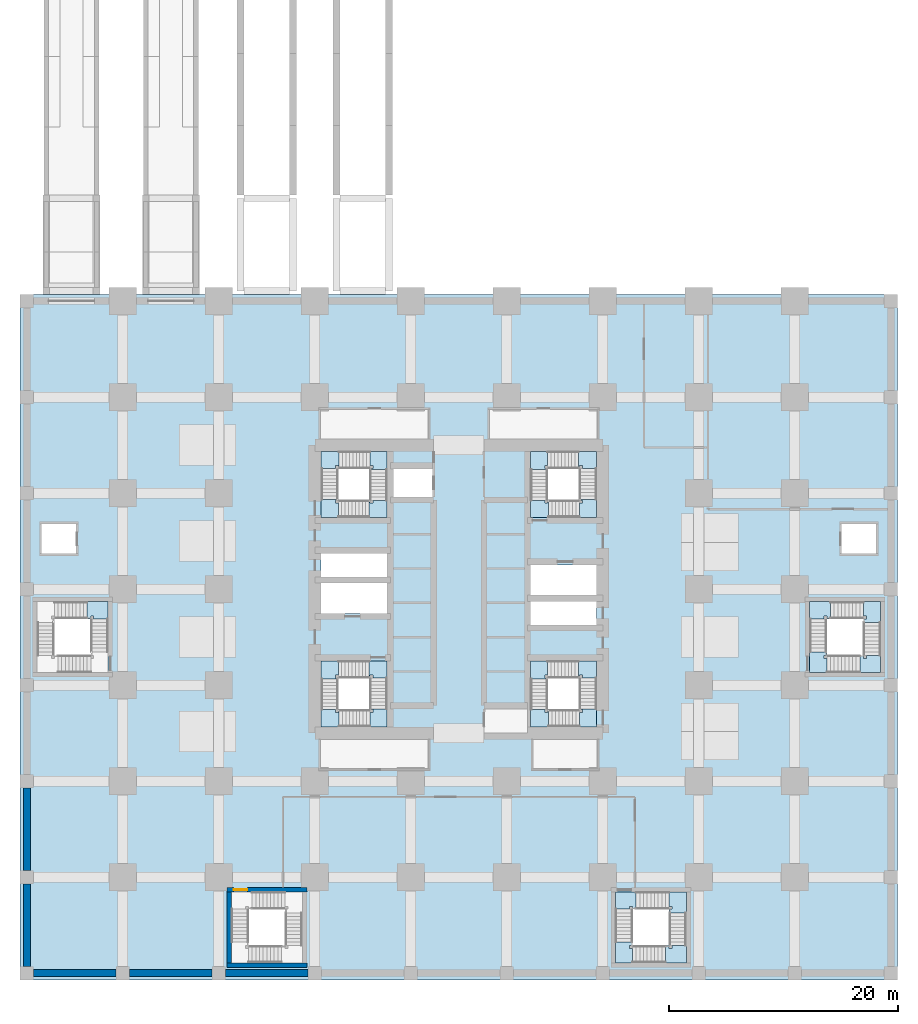
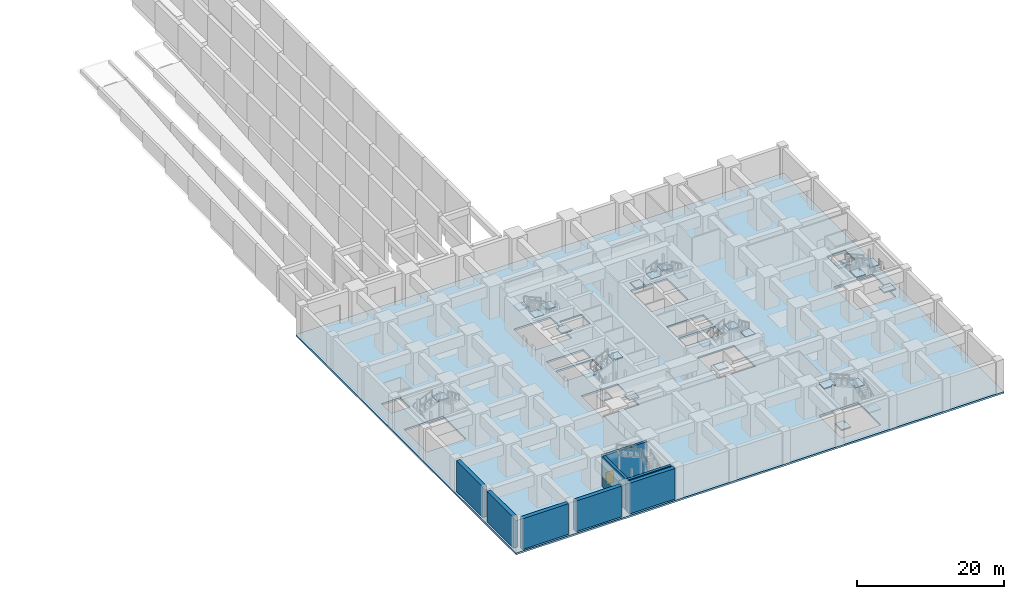
# One storey, part 5 of 20: 26 slabs, 8 walls, 1 door, 1 opening, 7 elements without a shape of their own.
"""IFC4 building model written with IfcOpenShell, lengths in metres."""

from ifc_helpers import new_model, si_unit, direction, frame, frame_2d, origin, place, context, subcontext, project, spatial, polyline, rectangle, outline, extrude, material, layer, layer_set, type_object, element, fill, aggregate, save


model = new_model("IFC4")

# Units and contexts
model_context = context("Model", 3, precision=1e-05, world=origin(), true_north=direction((0.0, 1.0)))
body_context = subcontext(model_context, "Body", "Model", "MODEL_VIEW")
ifc_project = project(units=[si_unit("LENGTHUNIT", "METRE"), si_unit("AREAUNIT", "SQUARE_METRE"), si_unit("VOLUMEUNIT", "CUBIC_METRE"), si_unit("PLANEANGLEUNIT", "RADIAN"), si_unit("MASSUNIT", "GRAM", prefix="KILO")], contexts=[model_context])

# Site, building, storey
site_placement = place(None, origin())
site = spatial("IfcSite", under=ifc_project, at=site_placement, CompositionType="ELEMENT")
building_placement = place(site_placement, origin())
building = spatial("IfcBuilding", under=site, at=building_placement, Name="Rekha Terrace Tower", CompositionType="ELEMENT")
storey_placement = place(building_placement, frame((0.0, 0.0, -5.39990234375)))
storey = spatial("IfcBuildingStorey", under=building, at=storey_placement, Name="B-01", CompositionType="ELEMENT", Elevation=-5.39990234375)

# Stair, slab
ifc_material_1 = material(Name="Concrete M40", Category="concrete")
stair_type_1 = type_object("IfcStairType", Name="ST40 stair, 40 risers of 135, going 320, 1500 wide flights, 4 flights", PredefinedType="QUARTER_TURN_STAIR", material=ifc_material_1)
stair_1_placement = place(storey_placement, origin())
stair_1 = element("IfcStair", 1, at=stair_1_placement, inside=storey, type_object=stair_type_1, Name="Stair SP1 B-01 to L00", PredefinedType="QUARTER_TURN_STAIR")
ifc_layer_1 = layer(ifc_material_1, 0.199951171875)
ifc_layer_set_1 = layer_set([ifc_layer_1], Name="Concrete M40")
slab_type_1 = type_object("IfcSlabType", Name="LD1 200 concrete stair landing", PredefinedType="LANDING", material=ifc_layer_set_1)
slab_1_placement = place(storey_placement, frame((0.0, 0.0, 3.849853515625)))
slab_1 = element("IfcSlab", 2, at=slab_1_placement, type_object=slab_type_1, Name="SP1 landing 3", PredefinedType="LANDING", context=body_context, shape_type="SweptSolid", body=[
    extrude(outline(polyline([(7.10009765625, 31.0), (7.10009765625, 32.5), (5.280029296875, 32.5), (5.280029296875, 31.0), (5.60009765625, 31.0), (5.60009765625, 31.25), (5.85009765625, 31.25), (5.85009765625, 31.0), (7.10009765625, 31.0)])), origin(), (0.0, 0.0, 1.0), 0.199951171875),
])
aggregate(stair_1, [slab_1])

# Stair, slabs
stair_2_placement = place(storey_placement, origin())
stair_2 = element("IfcStair", 3, at=stair_2_placement, inside=storey, type_object=stair_type_1, Name="Stair SP2 B-01 to L00", PredefinedType="QUARTER_TURN_STAIR")
slab_2_placement = place(storey_placement, frame((0.0, 0.0, 1.14990234375)))
slab_2 = element("IfcSlab", 4, at=slab_2_placement, type_object=slab_type_1, Name="SP2 landing 1", PredefinedType="LANDING", context=body_context, shape_type="SweptSolid", body=[
    extrude(outline(polyline([(74.699951171875, 27.800048828125), (74.699951171875, 26.300048828125), (72.8798828125, 26.300048828125), (72.8798828125, 27.800048828125), (73.199951171875, 27.800048828125), (73.199951171875, 27.550048828125), (73.449951171875, 27.550048828125), (73.449951171875, 27.800048828125), (74.699951171875, 27.800048828125)])), origin(), (0.0, 0.0, 1.0), 0.199951171875),
])
slab_3_placement = place(storey_placement, frame((0.0, 0.0, 2.5)))
slab_3 = element("IfcSlab", 5, at=slab_3_placement, type_object=slab_type_1, Name="SP2 landing 2", PredefinedType="LANDING", context=body_context, shape_type="SweptSolid", body=[
    extrude(outline(polyline([(73.199951171875, 32.5), (74.699951171875, 32.5), (74.699951171875, 30.679931640625), (73.199951171875, 30.679931640625), (73.199951171875, 31.0), (73.449951171875, 31.0), (73.449951171875, 31.25), (73.199951171875, 31.25), (73.199951171875, 32.5)])), origin(), (0.0, 0.0, 1.0), 0.199951171875),
])
slab_4_placement = place(storey_placement, frame((0.0, 0.0, 3.849853515625)))
slab_4 = element("IfcSlab", 6, at=slab_4_placement, type_object=slab_type_1, Name="SP2 landing 3", PredefinedType="LANDING", context=body_context, shape_type="SweptSolid", body=[
    extrude(outline(polyline([(68.5, 31.0), (68.5, 32.5), (70.320068359375, 32.5), (70.320068359375, 31.0), (70.0, 31.0), (70.0, 31.25), (69.75, 31.25), (69.75, 31.0), (68.5, 31.0)])), origin(), (0.0, 0.0, 1.0), 0.199951171875),
])
slab_5_placement = place(storey_placement, frame((0.0, 0.0, 5.199951171875)))
slab_5 = element("IfcSlab", 7, at=slab_5_placement, type_object=slab_type_1, Name="SP2 landing 4", PredefinedType="LANDING", context=body_context, shape_type="SweptSolid", body=[
    extrude(outline(polyline([(70.0, 26.300048828125), (68.5, 26.300048828125), (68.5, 28.1201171875), (70.0, 28.1201171875), (70.0, 27.800048828125), (69.75, 27.800048828125), (69.75, 27.550048828125), (70.0, 27.550048828125), (70.0, 26.300048828125)])), origin(), (0.0, 0.0, 1.0), 0.199951171875),
])
aggregate(stair_2, [slab_2, slab_3, slab_4, slab_5])

stair_3_placement = place(storey_placement, origin())
stair_3 = element("IfcStair", 8, at=stair_3_placement, inside=storey, type_object=stair_type_1, Name="Stair SP4 B-01 to L00", PredefinedType="QUARTER_TURN_STAIR")
slab_6_placement = place(storey_placement, frame((0.0, 0.0, 1.14990234375)))
slab_6 = element("IfcSlab", 9, at=slab_6_placement, type_object=slab_type_1, Name="SP4 landing 1", PredefinedType="LANDING", context=body_context, shape_type="SweptSolid", body=[
    extrude(outline(polyline([(53.0, 0.89990234375), (51.5, 0.89990234375), (51.5, 2.719970703125), (53.0, 2.719970703125), (53.0, 2.39990234375), (52.75, 2.39990234375), (52.75, 2.14990234375), (53.0, 2.14990234375), (53.0, 0.89990234375)])), origin(), (0.0, 0.0, 1.0), 0.199951171875),
])
slab_7_placement = place(storey_placement, frame((0.0, 0.0, 2.5)))
slab_7 = element("IfcSlab", 10, at=slab_7_placement, type_object=slab_type_1, Name="SP4 landing 2", PredefinedType="LANDING", context=body_context, shape_type="SweptSolid", body=[
    extrude(outline(polyline([(57.699951171875, 2.39990234375), (57.699951171875, 0.89990234375), (55.8798828125, 0.89990234375), (55.8798828125, 2.39990234375), (56.199951171875, 2.39990234375), (56.199951171875, 2.14990234375), (56.449951171875, 2.14990234375), (56.449951171875, 2.39990234375), (57.699951171875, 2.39990234375)])), origin(), (0.0, 0.0, 1.0), 0.199951171875),
])
slab_8_placement = place(storey_placement, frame((0.0, 0.0, 3.849853515625)))
slab_8 = element("IfcSlab", 11, at=slab_8_placement, type_object=slab_type_1, Name="SP4 landing 3", PredefinedType="LANDING", context=body_context, shape_type="SweptSolid", body=[
    extrude(outline(polyline([(56.199951171875, 7.10009765625), (57.699951171875, 7.10009765625), (57.699951171875, 5.280029296875), (56.199951171875, 5.280029296875), (56.199951171875, 5.60009765625), (56.449951171875, 5.60009765625), (56.449951171875, 5.85009765625), (56.199951171875, 5.85009765625), (56.199951171875, 7.10009765625)])), origin(), (0.0, 0.0, 1.0), 0.199951171875),
])
slab_9_placement = place(storey_placement, frame((0.0, 0.0, 5.199951171875)))
slab_9 = element("IfcSlab", 12, at=slab_9_placement, type_object=slab_type_1, Name="SP4 landing 4", PredefinedType="LANDING", context=body_context, shape_type="SweptSolid", body=[
    extrude(outline(polyline([(51.5, 5.60009765625), (51.5, 7.10009765625), (53.320068359375, 7.10009765625), (53.320068359375, 5.60009765625), (53.0, 5.60009765625), (53.0, 5.85009765625), (52.75, 5.85009765625), (52.75, 5.60009765625), (51.5, 5.60009765625)])), origin(), (0.0, 0.0, 1.0), 0.199951171875),
])
aggregate(stair_3, [slab_6, slab_7, slab_8, slab_9])

stair_type_2 = type_object("IfcStairType", Name="ST40 stair, 40 risers of 135, going 300, 1500 wide flights, 4 flights", PredefinedType="QUARTER_TURN_STAIR", material=ifc_material_1)
stair_4_placement = place(storey_placement, origin())
stair_4 = element("IfcStair", 13, at=stair_4_placement, inside=storey, type_object=stair_type_2, Name="Stair ST1 B-01 to L00", PredefinedType="QUARTER_TURN_STAIR")
slab_10_placement = place(storey_placement, frame((0.0, 0.0, 1.14990234375)))
slab_10 = element("IfcSlab", 14, at=slab_10_placement, type_object=slab_type_1, Name="ST1 landing 1", PredefinedType="LANDING", context=body_context, shape_type="SweptSolid", body=[
    extrude(outline(polyline([(30.02490234375, 21.550048828125), (31.52490234375, 21.550048828125), (31.52490234375, 23.125), (30.02490234375, 23.125), (30.02490234375, 23.050048828125), (30.27490234375, 23.050048828125), (30.27490234375, 22.800048828125), (30.02490234375, 22.800048828125), (30.02490234375, 21.550048828125)])), origin(), (0.0, 0.0, 1.0), 0.199951171875),
])
slab_11_placement = place(storey_placement, frame((0.0, 0.0, 2.5)))
slab_11 = element("IfcSlab", 15, at=slab_11_placement, type_object=slab_type_1, Name="ST1 landing 2", PredefinedType="LANDING", context=body_context, shape_type="SweptSolid", body=[
    extrude(outline(polyline([(25.75, 23.050048828125), (25.75, 21.550048828125), (27.324951171875, 21.550048828125), (27.324951171875, 23.050048828125), (27.25, 23.050048828125), (27.25, 22.800048828125), (27.0, 22.800048828125), (27.0, 23.050048828125), (25.75, 23.050048828125)])), origin(), (0.0, 0.0, 1.0), 0.199951171875),
])
slab_12_placement = place(storey_placement, frame((0.0, 0.0, 3.849853515625)))
slab_12 = element("IfcSlab", 16, at=slab_12_placement, type_object=slab_type_1, Name="ST1 landing 3", PredefinedType="LANDING", context=body_context, shape_type="SweptSolid", body=[
    extrude(outline(polyline([(27.25, 27.324951171875), (25.75, 27.324951171875), (25.75, 25.75), (27.25, 25.75), (27.25, 25.824951171875), (27.0, 25.824951171875), (27.0, 26.074951171875), (27.25, 26.074951171875), (27.25, 27.324951171875)])), origin(), (0.0, 0.0, 1.0), 0.199951171875),
])
slab_13_placement = place(storey_placement, frame((0.0, 0.0, 5.199951171875)))
slab_13 = element("IfcSlab", 17, at=slab_13_placement, type_object=slab_type_1, Name="ST1 landing 4", PredefinedType="LANDING", context=body_context, shape_type="SweptSolid", body=[
    extrude(outline(polyline([(31.52490234375, 25.824951171875), (31.52490234375, 27.324951171875), (29.949951171875, 27.324951171875), (29.949951171875, 25.824951171875), (30.02490234375, 25.824951171875), (30.02490234375, 26.074951171875), (30.27490234375, 26.074951171875), (30.27490234375, 25.824951171875), (31.52490234375, 25.824951171875)])), origin(), (0.0, 0.0, 1.0), 0.199951171875),
])
aggregate(stair_4, [slab_10, slab_11, slab_12, slab_13])

stair_5_placement = place(storey_placement, origin())
stair_5 = element("IfcStair", 18, at=stair_5_placement, inside=storey, type_object=stair_type_2, Name="Stair ST2 B-01 to L00", PredefinedType="QUARTER_TURN_STAIR")
slab_14_placement = place(storey_placement, frame((0.0, 0.0, 1.14990234375)))
slab_14 = element("IfcSlab", 19, at=slab_14_placement, type_object=slab_type_1, Name="ST2 landing 1", PredefinedType="LANDING", context=body_context, shape_type="SweptSolid", body=[
    extrude(outline(polyline([(45.574951171875, 45.64990234375), (44.074951171875, 45.64990234375), (44.074951171875, 44.074951171875), (45.574951171875, 44.074951171875), (45.574951171875, 44.14990234375), (45.324951171875, 44.14990234375), (45.324951171875, 44.39990234375), (45.574951171875, 44.39990234375), (45.574951171875, 45.64990234375)])), origin(), (0.0, 0.0, 1.0), 0.199951171875),
])
slab_15_placement = place(storey_placement, frame((0.0, 0.0, 2.5)))
slab_15 = element("IfcSlab", 20, at=slab_15_placement, type_object=slab_type_1, Name="ST2 landing 2", PredefinedType="LANDING", context=body_context, shape_type="SweptSolid", body=[
    extrude(outline(polyline([(49.85009765625, 44.14990234375), (49.85009765625, 45.64990234375), (48.27490234375, 45.64990234375), (48.27490234375, 44.14990234375), (48.35009765625, 44.14990234375), (48.35009765625, 44.39990234375), (48.60009765625, 44.39990234375), (48.60009765625, 44.14990234375), (49.85009765625, 44.14990234375)])), origin(), (0.0, 0.0, 1.0), 0.199951171875),
])
slab_16_placement = place(storey_placement, frame((0.0, 0.0, 3.849853515625)))
slab_16 = element("IfcSlab", 21, at=slab_16_placement, type_object=slab_type_1, Name="ST2 landing 3", PredefinedType="LANDING", context=body_context, shape_type="SweptSolid", body=[
    extrude(outline(polyline([(48.35009765625, 39.875), (49.85009765625, 39.875), (49.85009765625, 41.449951171875), (48.35009765625, 41.449951171875), (48.35009765625, 41.375), (48.60009765625, 41.375), (48.60009765625, 41.125), (48.35009765625, 41.125), (48.35009765625, 39.875)])), origin(), (0.0, 0.0, 1.0), 0.199951171875),
])
slab_17_placement = place(storey_placement, frame((0.0, 0.0, 5.199951171875)))
slab_17 = element("IfcSlab", 22, at=slab_17_placement, type_object=slab_type_1, Name="ST2 landing 4", PredefinedType="LANDING", context=body_context, shape_type="SweptSolid", body=[
    extrude(outline(polyline([(44.074951171875, 41.375), (44.074951171875, 39.875), (45.64990234375, 39.875), (45.64990234375, 41.375), (45.574951171875, 41.375), (45.574951171875, 41.125), (45.324951171875, 41.125), (45.324951171875, 41.375), (44.074951171875, 41.375)])), origin(), (0.0, 0.0, 1.0), 0.199951171875),
])
aggregate(stair_5, [slab_14, slab_15, slab_16, slab_17])

stair_6_placement = place(storey_placement, origin())
stair_6 = element("IfcStair", 23, at=stair_6_placement, inside=storey, type_object=stair_type_2, Name="Stair ST3 B-01 to L00", PredefinedType="QUARTER_TURN_STAIR")
slab_18_placement = place(storey_placement, frame((0.0, 0.0, 1.14990234375)))
slab_18 = element("IfcSlab", 24, at=slab_18_placement, type_object=slab_type_1, Name="ST3 landing 1", PredefinedType="LANDING", context=body_context, shape_type="SweptSolid", body=[
    extrude(outline(polyline([(44.074951171875, 23.050048828125), (44.074951171875, 21.550048828125), (45.64990234375, 21.550048828125), (45.64990234375, 23.050048828125), (45.574951171875, 23.050048828125), (45.574951171875, 22.800048828125), (45.324951171875, 22.800048828125), (45.324951171875, 23.050048828125), (44.074951171875, 23.050048828125)])), origin(), (0.0, 0.0, 1.0), 0.199951171875),
])
slab_19_placement = place(storey_placement, frame((0.0, 0.0, 2.5)))
slab_19 = element("IfcSlab", 25, at=slab_19_placement, type_object=slab_type_1, Name="ST3 landing 2", PredefinedType="LANDING", context=body_context, shape_type="SweptSolid", body=[
    extrude(outline(polyline([(45.574951171875, 27.324951171875), (44.074951171875, 27.324951171875), (44.074951171875, 25.75), (45.574951171875, 25.75), (45.574951171875, 25.824951171875), (45.324951171875, 25.824951171875), (45.324951171875, 26.074951171875), (45.574951171875, 26.074951171875), (45.574951171875, 27.324951171875)])), origin(), (0.0, 0.0, 1.0), 0.199951171875),
])
slab_20_placement = place(storey_placement, frame((0.0, 0.0, 3.849853515625)))
slab_20 = element("IfcSlab", 26, at=slab_20_placement, type_object=slab_type_1, Name="ST3 landing 3", PredefinedType="LANDING", context=body_context, shape_type="SweptSolid", body=[
    extrude(outline(polyline([(49.85009765625, 25.824951171875), (49.85009765625, 27.324951171875), (48.27490234375, 27.324951171875), (48.27490234375, 25.824951171875), (48.35009765625, 25.824951171875), (48.35009765625, 26.074951171875), (48.60009765625, 26.074951171875), (48.60009765625, 25.824951171875), (49.85009765625, 25.824951171875)])), origin(), (0.0, 0.0, 1.0), 0.199951171875),
])
slab_21_placement = place(storey_placement, frame((0.0, 0.0, 5.199951171875)))
slab_21 = element("IfcSlab", 27, at=slab_21_placement, type_object=slab_type_1, Name="ST3 landing 4", PredefinedType="LANDING", context=body_context, shape_type="SweptSolid", body=[
    extrude(outline(polyline([(48.35009765625, 21.550048828125), (49.85009765625, 21.550048828125), (49.85009765625, 23.125), (48.35009765625, 23.125), (48.35009765625, 23.050048828125), (48.60009765625, 23.050048828125), (48.60009765625, 22.800048828125), (48.35009765625, 22.800048828125), (48.35009765625, 21.550048828125)])), origin(), (0.0, 0.0, 1.0), 0.199951171875),
])
aggregate(stair_6, [slab_18, slab_19, slab_20, slab_21])

stair_7_placement = place(storey_placement, origin())
stair_7 = element("IfcStair", 28, at=stair_7_placement, inside=storey, type_object=stair_type_2, Name="Stair ST4 B-01 to L00", PredefinedType="QUARTER_TURN_STAIR")
slab_22_placement = place(storey_placement, frame((0.0, 0.0, 1.14990234375)))
slab_22 = element("IfcSlab", 29, at=slab_22_placement, type_object=slab_type_1, Name="ST4 landing 1", PredefinedType="LANDING", context=body_context, shape_type="SweptSolid", body=[
    extrude(outline(polyline([(31.52490234375, 41.375), (31.52490234375, 39.875), (29.949951171875, 39.875), (29.949951171875, 41.375), (30.02490234375, 41.375), (30.02490234375, 41.125), (30.27490234375, 41.125), (30.27490234375, 41.375), (31.52490234375, 41.375)])), origin(), (0.0, 0.0, 1.0), 0.199951171875),
])
slab_23_placement = place(storey_placement, frame((0.0, 0.0, 2.5)))
slab_23 = element("IfcSlab", 30, at=slab_23_placement, type_object=slab_type_1, Name="ST4 landing 2", PredefinedType="LANDING", context=body_context, shape_type="SweptSolid", body=[
    extrude(outline(polyline([(30.02490234375, 45.64990234375), (31.52490234375, 45.64990234375), (31.52490234375, 44.074951171875), (30.02490234375, 44.074951171875), (30.02490234375, 44.14990234375), (30.27490234375, 44.14990234375), (30.27490234375, 44.39990234375), (30.02490234375, 44.39990234375), (30.02490234375, 45.64990234375)])), origin(), (0.0, 0.0, 1.0), 0.199951171875),
])
slab_24_placement = place(storey_placement, frame((0.0, 0.0, 3.849853515625)))
slab_24 = element("IfcSlab", 31, at=slab_24_placement, type_object=slab_type_1, Name="ST4 landing 3", PredefinedType="LANDING", context=body_context, shape_type="SweptSolid", body=[
    extrude(outline(polyline([(25.75, 44.14990234375), (25.75, 45.64990234375), (27.324951171875, 45.64990234375), (27.324951171875, 44.14990234375), (27.25, 44.14990234375), (27.25, 44.39990234375), (27.0, 44.39990234375), (27.0, 44.14990234375), (25.75, 44.14990234375)])), origin(), (0.0, 0.0, 1.0), 0.199951171875),
])
slab_25_placement = place(storey_placement, frame((0.0, 0.0, 5.199951171875)))
slab_25 = element("IfcSlab", 32, at=slab_25_placement, type_object=slab_type_1, Name="ST4 landing 4", PredefinedType="LANDING", context=body_context, shape_type="SweptSolid", body=[
    extrude(outline(polyline([(27.25, 39.875), (25.75, 39.875), (25.75, 41.449951171875), (27.25, 41.449951171875), (27.25, 41.375), (27.0, 41.375), (27.0, 41.125), (27.25, 41.125), (27.25, 39.875)])), origin(), (0.0, 0.0, 1.0), 0.199951171875),
])
aggregate(stair_7, [slab_22, slab_23, slab_24, slab_25])

# Slab
ifc_material_2 = material(Name="Concrete M50", Category="concrete")
ifc_layer_2 = layer(ifc_material_2, 0.300048828125)
ifc_layer_set_2 = layer_set([ifc_layer_2], Name="Concrete M50")
slab_type_2 = type_object("IfcSlabType", Name="SL2 300 podium floor slab", PredefinedType="FLOOR", material=ifc_layer_set_2)
slab_26_placement = place(storey_placement, frame((0.0, 0.0, -0.300048828125)))
element("IfcSlab", 33, at=slab_26_placement, inside=storey, type_object=slab_type_2, Name="Podium floor slab B-01", PredefinedType="FLOOR", context=body_context, shape_type="SweptSolid", body=[
    extrude(outline(polyline([(-0.60009765625, 59.39990234375), (-0.60009765625, -0.60009765625), (76.199951171875, -0.60009765625), (76.199951171875, 59.39990234375), (-0.60009765625, 59.39990234375)]), holes=[polyline([(17.89990234375, 7.10009765625), (24.10009765625, 7.10009765625), (24.10009765625, 0.89990234375), (17.89990234375, 0.89990234375), (17.89990234375, 7.10009765625)]), polyline([(31.52490234375, 27.324951171875), (31.52490234375, 21.550048828125), (25.75, 21.550048828125), (25.75, 27.324951171875), (31.52490234375, 27.324951171875)]), polyline([(7.10009765625, 32.5), (7.10009765625, 26.300048828125), (0.89990234375, 26.300048828125), (0.89990234375, 32.5), (7.10009765625, 32.5)]), polyline([(31.52490234375, 34.125), (31.52490234375, 31.47509765625), (25.75, 31.47509765625), (25.75, 34.125), (31.52490234375, 34.125)]), polyline([(31.52490234375, 36.72509765625), (31.52490234375, 34.675048828125), (25.75, 34.675048828125), (25.75, 36.72509765625), (31.52490234375, 36.72509765625)]), polyline([(4.300048828125, 39.300048828125), (4.300048828125, 36.699951171875), (1.300048828125, 36.699951171875), (1.300048828125, 39.300048828125), (4.300048828125, 39.300048828125)]), polyline([(31.52490234375, 45.64990234375), (31.52490234375, 39.875), (25.75, 39.875), (25.75, 45.64990234375), (31.52490234375, 45.64990234375)]), polyline([(35.5, 44.125), (35.5, 41.675048828125), (32.074951171875, 41.675048828125), (32.074951171875, 44.125), (35.5, 44.125)]), polyline([(57.699951171875, 7.10009765625), (57.699951171875, 0.89990234375), (51.5, 0.89990234375), (51.5, 7.10009765625), (57.699951171875, 7.10009765625)]), polyline([(49.85009765625, 27.324951171875), (49.85009765625, 21.550048828125), (44.074951171875, 21.550048828125), (44.074951171875, 27.324951171875), (49.85009765625, 27.324951171875)]), polyline([(74.699951171875, 32.5), (74.699951171875, 26.300048828125), (68.5, 26.300048828125), (68.5, 32.5), (74.699951171875, 32.5)]), polyline([(49.85009765625, 32.52490234375), (49.85009765625, 30.47509765625), (44.074951171875, 30.47509765625), (44.074951171875, 32.52490234375), (49.85009765625, 32.52490234375)]), polyline([(49.85009765625, 35.72509765625), (49.85009765625, 33.074951171875), (44.074951171875, 33.074951171875), (44.074951171875, 35.72509765625), (49.85009765625, 35.72509765625)]), polyline([(74.300048828125, 39.300048828125), (74.300048828125, 36.699951171875), (71.300048828125, 36.699951171875), (71.300048828125, 39.300048828125), (74.300048828125, 39.300048828125)]), polyline([(49.85009765625, 45.64990234375), (49.85009765625, 39.875), (44.074951171875, 39.875), (44.074951171875, 45.64990234375), (49.85009765625, 45.64990234375)])]), origin(), (0.0, 0.0, 1.0), 0.300048828125),
])

# Walls
ifc_layer_3 = layer(ifc_material_1, 0.60009765625)
ifc_layer_set_3 = layer_set([ifc_layer_3], Name="Concrete M40")
wall_type_1 = type_object("IfcWallType", Name="RW1 600 basement retaining wall", PredefinedType="SOLIDWALL", material=ifc_layer_set_3)
for number, where, z_axis, x_axis, name in (
    (34, (0.60009765625, 0.0, 0.0), (0.0, 0.0, 1.0), (1.0, 0.0, 0.0), "Basement retaining wall RW1 1A-2A B-01"),
    (35, (9.0, 0.0, 0.0), (0.0, 0.0, 1.0), (1.0, 0.0, 0.0), "Basement retaining wall RW1 2A-3A B-01"),
):
    element("IfcWall", number, at=place(storey_placement, frame(where, z_axis=z_axis, x_axis=x_axis)), inside=storey, type_object=wall_type_1, Name=name, PredefinedType="SOLIDWALL", context=body_context, shape_type="SweptSolid", body=[
        extrude(rectangle(XDim=7.199951171875, YDim=0.60009765625, at=frame_2d((3.60009765625, 0.0))), origin(), (0.0, 0.0, 1.0), 5.099853515625),
    ])
wall_1_placement = place(storey_placement, frame((17.39990234375, 0.0, 0.0), z_axis=(0.0, 0.0, 1.0), x_axis=(1.0, 0.0, 0.0)))
element("IfcWall", 36, at=wall_1_placement, inside=storey, type_object=wall_type_1, Name="Basement retaining wall RW1 3A-4A B-01", PredefinedType="SOLIDWALL", context=body_context, shape_type="SweptSolid", body=[
    extrude(rectangle(XDim=7.2001953125, YDim=0.60009765625, at=frame_2d((3.60009765625, 0.0))), origin(), (0.0, 0.0, 1.0), 5.099853515625),
])
for number, where, z_axis, x_axis, name in (
    (37, (0.0, 0.60009765625, 0.0), (0.0, 0.0, 1.0), (0.0, 1.0, 0.0), "Basement retaining wall RW1 1A-1B B-01"),
    (38, (0.0, 9.0, 0.0), (0.0, 0.0, 1.0), (0.0, 1.0, 0.0), "Basement retaining wall RW1 1B-1C B-01"),
):
    element("IfcWall", number, at=place(storey_placement, frame(where, z_axis=z_axis, x_axis=x_axis)), inside=storey, type_object=wall_type_1, Name=name, PredefinedType="SOLIDWALL", context=body_context, shape_type="SweptSolid", body=[
        extrude(rectangle(XDim=7.199951171875, YDim=0.60009765625, at=frame_2d((3.60009765625, 0.0))), origin(), (0.0, 0.0, 1.0), 5.099853515625),
    ])
ifc_material_3 = material(Name="Concrete M60", Category="concrete")
ifc_layer_4 = layer(ifc_material_3, 0.39990234375)
ifc_layer_set_4 = layer_set([ifc_layer_4], Name="Concrete M60")
wall_type_2 = type_object("IfcWallType", Name="WS3 400 RC podium stair wall", PredefinedType="SOLIDWALL", material=ifc_layer_set_4)
wall_2_placement = place(storey_placement, frame((17.5, 0.699951171875, 0.0), z_axis=(0.0, 0.0, 1.0), x_axis=(1.0, 0.0, 0.0)))
element("IfcWall", 39, at=wall_2_placement, inside=storey, type_object=wall_type_2, Name="Stair SP3 south wall", PredefinedType="SOLIDWALL", context=body_context, shape_type="SweptSolid", body=[
    extrude(rectangle(XDim=7.0, YDim=0.39990234375, at=frame_2d((3.5, 0.0))), origin(), (0.0, 0.0, 1.0), 5.099853515625),
])

# Wall, opening, door
wall_3_placement = place(storey_placement, frame((17.5, 7.300048828125, 0.0), z_axis=(0.0, 0.0, 1.0), x_axis=(1.0, 0.0, 0.0)))
wall_3 = element("IfcWall", 40, at=wall_3_placement, inside=storey, type_object=wall_type_2, Name="Stair SP3 north wall", PredefinedType="SOLIDWALL", context=body_context, shape_type="SweptSolid", body=[
    extrude(rectangle(XDim=7.0, YDim=0.39990234375, at=frame_2d((3.5, 0.0))), origin(), (0.0, 0.0, 1.0), 5.099853515625),
])
opening_placement = place(wall_3_placement, frame((0.60009765625, 0.0, 0.0)))
opening = element("IfcOpeningElement", 41, at=opening_placement, cuts=wall_3, Name="Opening D1", PredefinedType="OPENING", context=body_context, shape_type="SweptSolid", body=[
    extrude(rectangle(XDim=1.199951171875, YDim=2.10009765625, at=frame_2d((0.60009765625, 1.050048828125))), frame((0.0, 0.2099609375, 0.0), z_axis=(0.0, -1.0, 0.0), x_axis=(1.0, 0.0, 0.0)), (0.0, 0.0, 1.0), 0.419921875),
])
ifc_material_4 = material(Name="Steel fire door", Category="steel")
door_type = type_object("IfcDoorType", Name="D1 1200x2100 stair fire door", OperationType="SINGLE_SWING_RIGHT", PredefinedType="DOOR", material=ifc_material_4)
door_placement = place(opening_placement, origin())
door = element("IfcDoor", 42, at=door_placement, inside=storey, type_object=door_type, Name="Stair SP3 door B-01", OperationType="SINGLE_SWING_RIGHT", OverallHeight=2.10009765625, OverallWidth=1.199951171875, PredefinedType="DOOR", context=body_context, shape_type="SweptSolid", body=[
    extrude(rectangle(XDim=1.199951171875, YDim=2.10009765625, at=frame_2d((0.60009765625, 1.050048828125))), frame((0.0, 0.02490234375, 0.0), z_axis=(0.0, -1.0, 0.0), x_axis=(1.0, 0.0, 0.0)), (0.0, 0.0, 1.0), 0.050048828125),
])
fill(opening, door)

# Wall
wall_4_placement = place(storey_placement, frame((17.699951171875, 0.89990234375, 0.0), z_axis=(0.0, 0.0, 1.0), x_axis=(0.0, 1.0, 0.0)))
element("IfcWall", 43, at=wall_4_placement, inside=storey, type_object=wall_type_2, Name="Stair SP3 west wall", PredefinedType="SOLIDWALL", context=body_context, shape_type="SweptSolid", body=[
    extrude(rectangle(XDim=6.2001953125, YDim=0.39990234375, at=frame_2d((3.10009765625, 0.0))), origin(), (0.0, 0.0, 1.0), 5.099853515625),
])

save(model, "model.ifc")
